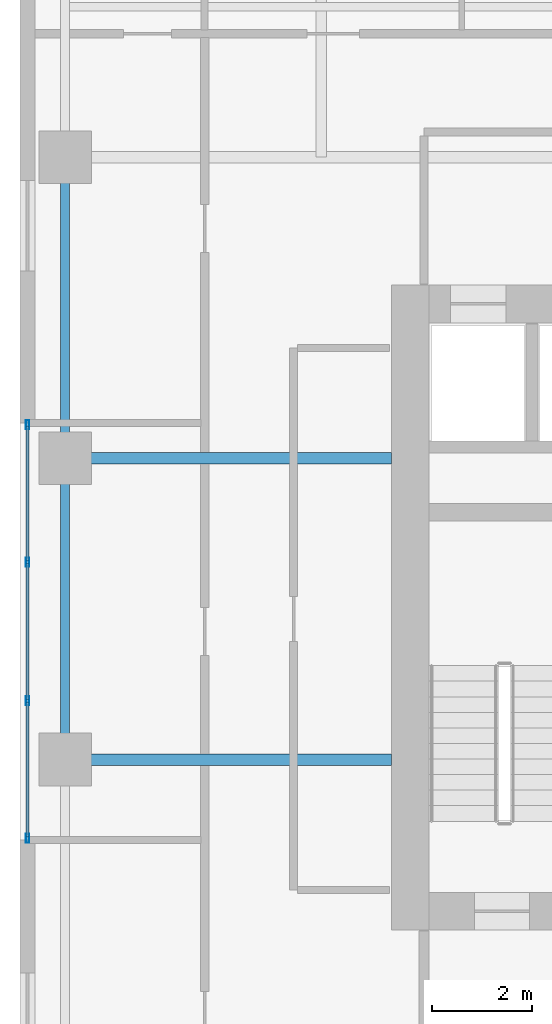
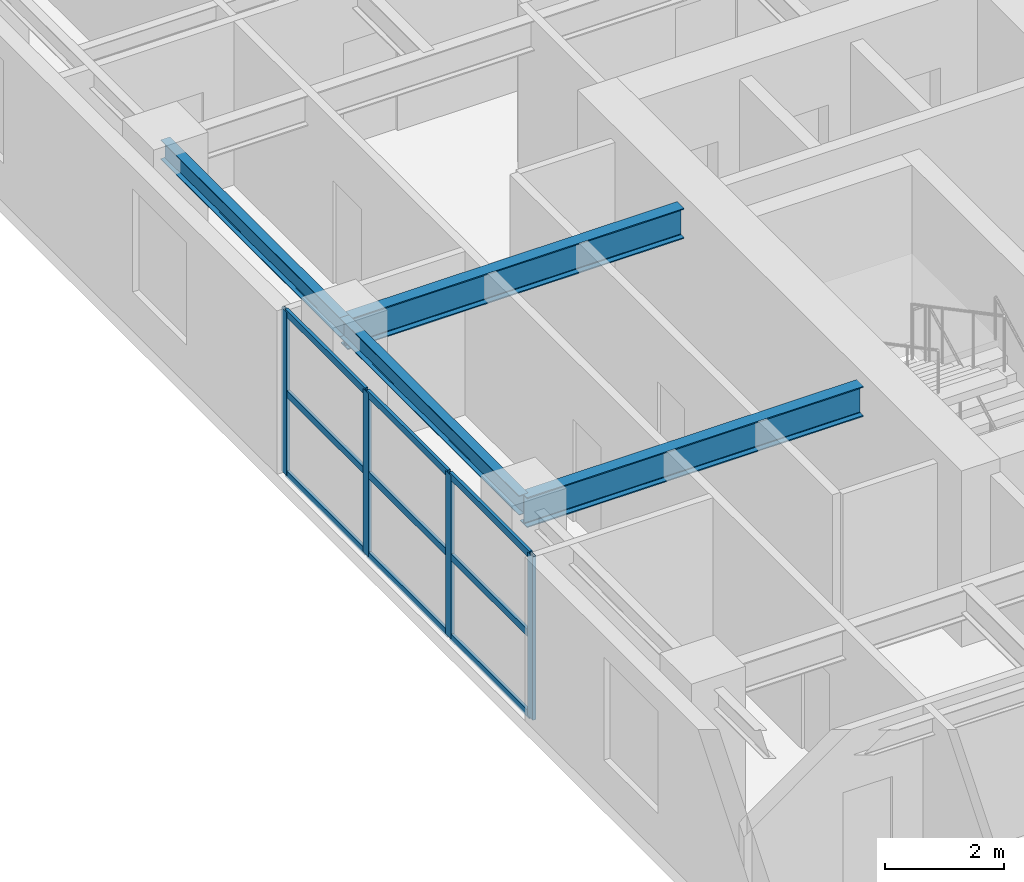
# One storey, part 2 of 14: 13 members, 4 beams, 1 element without a shape of its own.
"""IFC4 building model written with IfcOpenShell, lengths in metres."""

from ifc_helpers import new_model, si_unit, direction, frame, origin, origin_2d, place, context, subcontext, project, spatial, hollow_rectangle, i_section, extrude, source, transform, mapped, material, layer, layer_set, material_profile, profile_set, type_object, element, aggregate, save


model = new_model("IFC4")

# Units and contexts
model_context = context("Model", 3, precision=1e-05, world=origin(), true_north=direction((0.0, 1.0)))
body_context = subcontext(model_context, "Body", "Model", "MODEL_VIEW")
ifc_project = project(units=[si_unit("LENGTHUNIT", "METRE"), si_unit("AREAUNIT", "SQUARE_METRE"), si_unit("VOLUMEUNIT", "CUBIC_METRE"), si_unit("PLANEANGLEUNIT", "RADIAN"), si_unit("MASSUNIT", "GRAM", prefix="KILO")], contexts=[model_context])

# Site, building, storey
site_placement = place(None, origin())
site = spatial("IfcSite", under=ifc_project, at=site_placement, CompositionType="ELEMENT")
building_placement = place(site_placement, origin())
building = spatial("IfcBuilding", under=site, at=building_placement, Name="Khoralis Quay Care Tower", CompositionType="ELEMENT")
storey_placement = place(building_placement, frame((0.0, 0.0, 108.89990234375)))
storey = spatial("IfcBuildingStorey", under=building, at=storey_placement, Name="L28", CompositionType="ELEMENT", Elevation=108.89990234375)

# Beams
ifc_material_1 = material(Name="Steel S355", Category="steel")
ifc_material_profile_1 = material_profile(ifc_material_1, i_section(OverallWidth=0.179931640625, OverallDepth=0.39990234375, WebThickness=0.008544921875, FlangeThickness=0.013427734375, FilletRadius=0.02099609375, at=origin_2d()), Name="Steel S355")
ifc_profile_set_1 = profile_set([ifc_material_profile_1], Name="Steel S355")
beam_type_1 = type_object("IfcBeamType", Name="BM-IPE400", PredefinedType="SPANDREL", material=ifc_profile_set_1)
shared_shape_1 = source(origin(), body_context, "Body", "SweptSolid", [
    extrude(i_section(OverallWidth=0.179931640625, OverallDepth=0.39990234375, WebThickness=0.008544921875, FlangeThickness=0.013427734375, FilletRadius=0.02099609375, at=origin_2d()), origin(), (0.0, 0.0, 1.0), 6.0),
])
for number, where, z_axis, x_axis, name in (
    (1, (0.89990234375, 18.0, 3.14013671875), (0.0, 1.0, 0.0), (-1.0, 0.0, 0.0), "BM-TSP-L28-13"),
    (2, (0.89990234375, 24.0, 3.14013671875), (0.0, 1.0, 0.0), (-1.0, 0.0, 0.0), "BM-TSP-L28-14"),
):
    element("IfcBeam", number, at=place(storey_placement, frame(where, z_axis=z_axis, x_axis=x_axis)), inside=storey, type_object=beam_type_1, Name=name, PredefinedType="SPANDREL", context=body_context, shape_type="MappedRepresentation", body=[
        mapped(shared_shape_1, transform((0.0, 0.0, 0.0), scale=1.0)),
    ])
ifc_material_profile_2 = material_profile(ifc_material_1, i_section(OverallWidth=0.22998046875, OverallDepth=0.616943359375, WebThickness=0.01318359375, FlangeThickness=0.022216796875, FilletRadius=0.01806640625, at=origin_2d()), Name="Steel S355")
ifc_profile_set_2 = profile_set([ifc_material_profile_2], Name="Steel S355")
beam_type_2 = type_object("IfcBeamType", Name="BM-W610X140", PredefinedType="BEAM", material=ifc_profile_set_2)
shared_shape_2 = source(origin(), body_context, "Body", "SweptSolid", [
    extrude(i_section(OverallWidth=0.22998046875, OverallDepth=0.616943359375, WebThickness=0.01318359375, FlangeThickness=0.022216796875, FilletRadius=0.01806640625, at=origin_2d()), origin(), (0.0, 0.0, 1.0), 6.502197265625),
])
for number, where, z_axis, x_axis, name in (
    (3, (0.89990234375, 18.0, 3.031494140625), (1.0, 0.0, 0.0), (0.0, 1.0, 0.0), "BM-TGXW-L28-180"),
    (4, (0.89990234375, 24.0, 3.031494140625), (1.0, 0.0, 0.0), (0.0, 1.0, 0.0), "BM-TGXW-L28-240"),
):
    element("IfcBeam", number, at=place(storey_placement, frame(where, z_axis=z_axis, x_axis=x_axis)), inside=storey, type_object=beam_type_2, Name=name, PredefinedType="BEAM", context=body_context, shape_type="MappedRepresentation", body=[
        mapped(shared_shape_2, transform((0.0, 0.0, 0.0), scale=1.0)),
    ])

# Curtain wall, members
ifc_material_2 = material(Name="Pale anodised aluminium", Category="aluminium")
ifc_layer = layer(ifc_material_2, 0.169921875)
ifc_layer_set = layer_set([ifc_layer], Name="Pale anodised aluminium")
curtain_wall_type = type_object("IfcCurtainWallType", Name="CW-SYS-Z2", PredefinedType="NOTDEFINED", material=ifc_layer_set)
curtain_wall_placement = place(storey_placement, origin())
curtain_wall = element("IfcCurtainWall", 5, at=curtain_wall_placement, inside=storey, type_object=curtain_wall_type, Name="L28 Unitised Curtain Wall CW-L28-P1-E15", PredefinedType="NOTDEFINED")
ifc_material_profile_3 = material_profile(ifc_material_2, hollow_rectangle(XDim=0.06494140625, YDim=0.179931640625, WallThickness=0.00390625, at=origin_2d()), Name="Pale anodised aluminium")
ifc_profile_set_3 = profile_set([ifc_material_profile_3], Name="Pale anodised aluminium")
member_type_1 = type_object("IfcMemberType", Name="CW-MUL-180", PredefinedType="MULLION", material=ifc_profile_set_3)
shared_shape_3 = source(origin(), body_context, "Body", "SweptSolid", [
    extrude(hollow_rectangle(XDim=0.06494140625, YDim=0.179931640625, WallThickness=0.00390625, at=origin_2d()), origin(), (0.0, 0.0, 1.0), 3.340087890625),
])
member_1_placement = place(storey_placement, frame((0.14990234375, 24.669921875, 0.0), z_axis=(0.0, 0.0, 1.0), x_axis=(1.0, 0.0, 0.0)))
member_1 = element("IfcMember", 6, at=member_1_placement, type_object=member_type_1, Name="CW2 mullion 1", PredefinedType="MULLION", context=body_context, shape_type="MappedRepresentation", body=[
    mapped(shared_shape_3, transform((0.0, 0.0, 0.0), scale=1.0)),
])
member_2_placement = place(storey_placement, frame((0.14990234375, 21.933349609375, 0.0), z_axis=(0.0, 0.0, 1.0), x_axis=(1.0, 0.0, 0.0)))
member_2 = element("IfcMember", 7, at=member_2_placement, type_object=member_type_1, Name="CW2 mullion 2", PredefinedType="MULLION", context=body_context, shape_type="MappedRepresentation", body=[
    mapped(shared_shape_3, transform((0.0, 0.0, 0.0), scale=1.0)),
])
member_3_placement = place(storey_placement, frame((0.14990234375, 19.166748046875, 0.0), z_axis=(0.0, 0.0, 1.0), x_axis=(1.0, 0.0, 0.0)))
member_3 = element("IfcMember", 8, at=member_3_placement, type_object=member_type_1, Name="CW2 mullion 3", PredefinedType="MULLION", context=body_context, shape_type="MappedRepresentation", body=[
    mapped(shared_shape_3, transform((0.0, 0.0, 0.0), scale=1.0)),
])
member_4_placement = place(storey_placement, frame((0.14990234375, 16.429931640625, 0.0), z_axis=(0.0, 0.0, 1.0), x_axis=(1.0, 0.0, 0.0)))
member_4 = element("IfcMember", 9, at=member_4_placement, type_object=member_type_1, Name="CW2 mullion 4", PredefinedType="MULLION", context=body_context, shape_type="MappedRepresentation", body=[
    mapped(shared_shape_3, transform((0.0, 0.0, 0.0), scale=1.0)),
])
ifc_material_profile_4 = material_profile(ifc_material_2, hollow_rectangle(XDim=0.06005859375, YDim=0.139892578125, WallThickness=0.00390625, at=origin_2d()), Name="Pale anodised aluminium")
ifc_profile_set_4 = profile_set([ifc_material_profile_4], Name="Pale anodised aluminium")
member_type_2 = type_object("IfcMemberType", Name="CW-TRN-140", PredefinedType="USERDEFINED", material=ifc_profile_set_4)
shared_shape_4 = source(origin(), body_context, "Body", "SweptSolid", [
    extrude(hollow_rectangle(XDim=0.06005859375, YDim=0.139892578125, WallThickness=0.00390625, at=origin_2d()), origin(), (0.0, 0.0, 1.0), 2.6767578125),
])
member_5_placement = place(storey_placement, frame((0.14990234375, 19.13671875, 0.030029296875), z_axis=(0.0, -1.0, 0.0), x_axis=(1.0, 0.0, 0.0)))
member_5 = element("IfcMember", 10, at=member_5_placement, type_object=member_type_2, Name="CW2 transom 3.1", ObjectType="TRANSOM", PredefinedType="USERDEFINED", context=body_context, shape_type="MappedRepresentation", body=[
    mapped(shared_shape_4, transform((0.0, 0.0, 0.0), scale=1.0)),
])
member_6_placement = place(storey_placement, frame((0.14990234375, 19.13671875, 1.670166015625), z_axis=(0.0, -1.0, 0.0), x_axis=(1.0, 0.0, 0.0)))
member_6 = element("IfcMember", 11, at=member_6_placement, type_object=member_type_2, Name="CW2 transom 3.2", ObjectType="TRANSOM", PredefinedType="USERDEFINED", context=body_context, shape_type="MappedRepresentation", body=[
    mapped(shared_shape_4, transform((0.0, 0.0, 0.0), scale=1.0)),
])
member_7_placement = place(storey_placement, frame((0.14990234375, 19.13671875, 3.31005859375), z_axis=(0.0, -1.0, 0.0), x_axis=(1.0, 0.0, 0.0)))
member_7 = element("IfcMember", 12, at=member_7_placement, type_object=member_type_2, Name="CW2 transom 3.3", ObjectType="TRANSOM", PredefinedType="USERDEFINED", context=body_context, shape_type="MappedRepresentation", body=[
    mapped(shared_shape_4, transform((0.0, 0.0, 0.0), scale=1.0)),
])
shared_shape_5 = source(origin(), body_context, "Body", "SweptSolid", [
    extrude(hollow_rectangle(XDim=0.06005859375, YDim=0.139892578125, WallThickness=0.00390625, at=origin_2d()), origin(), (0.0, 0.0, 1.0), 2.70654296875),
])
member_8_placement = place(storey_placement, frame((0.14990234375, 21.9033203125, 0.030029296875), z_axis=(0.0, -1.0, 0.0), x_axis=(1.0, 0.0, 0.0)))
member_8 = element("IfcMember", 13, at=member_8_placement, type_object=member_type_2, Name="CW2 transom 2.1", ObjectType="TRANSOM", PredefinedType="USERDEFINED", context=body_context, shape_type="MappedRepresentation", body=[
    mapped(shared_shape_5, transform((0.0, 0.0, 0.0), scale=1.0)),
])
member_9_placement = place(storey_placement, frame((0.14990234375, 21.9033203125, 1.670166015625), z_axis=(0.0, -1.0, 0.0), x_axis=(1.0, 0.0, 0.0)))
member_9 = element("IfcMember", 14, at=member_9_placement, type_object=member_type_2, Name="CW2 transom 2.2", ObjectType="TRANSOM", PredefinedType="USERDEFINED", context=body_context, shape_type="MappedRepresentation", body=[
    mapped(shared_shape_5, transform((0.0, 0.0, 0.0), scale=1.0)),
])
member_10_placement = place(storey_placement, frame((0.14990234375, 21.9033203125, 3.31005859375), z_axis=(0.0, -1.0, 0.0), x_axis=(1.0, 0.0, 0.0)))
member_10 = element("IfcMember", 15, at=member_10_placement, type_object=member_type_2, Name="CW2 transom 2.3", ObjectType="TRANSOM", PredefinedType="USERDEFINED", context=body_context, shape_type="MappedRepresentation", body=[
    mapped(shared_shape_5, transform((0.0, 0.0, 0.0), scale=1.0)),
])
shared_shape_6 = source(origin(), body_context, "Body", "SweptSolid", [
    extrude(hollow_rectangle(XDim=0.06005859375, YDim=0.139892578125, WallThickness=0.00390625, at=origin_2d()), origin(), (0.0, 0.0, 1.0), 2.676513671875),
])
member_11_placement = place(storey_placement, frame((0.14990234375, 24.639892578125, 0.030029296875), z_axis=(0.0, -1.0, 0.0), x_axis=(1.0, 0.0, 0.0)))
member_11 = element("IfcMember", 16, at=member_11_placement, type_object=member_type_2, Name="CW2 transom 1.1", ObjectType="TRANSOM", PredefinedType="USERDEFINED", context=body_context, shape_type="MappedRepresentation", body=[
    mapped(shared_shape_6, transform((0.0, 0.0, 0.0), scale=1.0)),
])
member_12_placement = place(storey_placement, frame((0.14990234375, 24.639892578125, 1.670166015625), z_axis=(0.0, -1.0, 0.0), x_axis=(1.0, 0.0, 0.0)))
member_12 = element("IfcMember", 17, at=member_12_placement, type_object=member_type_2, Name="CW2 transom 1.2", ObjectType="TRANSOM", PredefinedType="USERDEFINED", context=body_context, shape_type="MappedRepresentation", body=[
    mapped(shared_shape_6, transform((0.0, 0.0, 0.0), scale=1.0)),
])
member_13_placement = place(storey_placement, frame((0.14990234375, 24.639892578125, 3.31005859375), z_axis=(0.0, -1.0, 0.0), x_axis=(1.0, 0.0, 0.0)))
member_13 = element("IfcMember", 18, at=member_13_placement, type_object=member_type_2, Name="CW2 transom 1.3", ObjectType="TRANSOM", PredefinedType="USERDEFINED", context=body_context, shape_type="MappedRepresentation", body=[
    mapped(shared_shape_6, transform((0.0, 0.0, 0.0), scale=1.0)),
])
aggregate(curtain_wall, [member_1, member_2, member_3, member_4, member_11, member_12, member_13, member_8, member_9, member_10, member_5, member_6, member_7])

save(model, "model.ifc")
